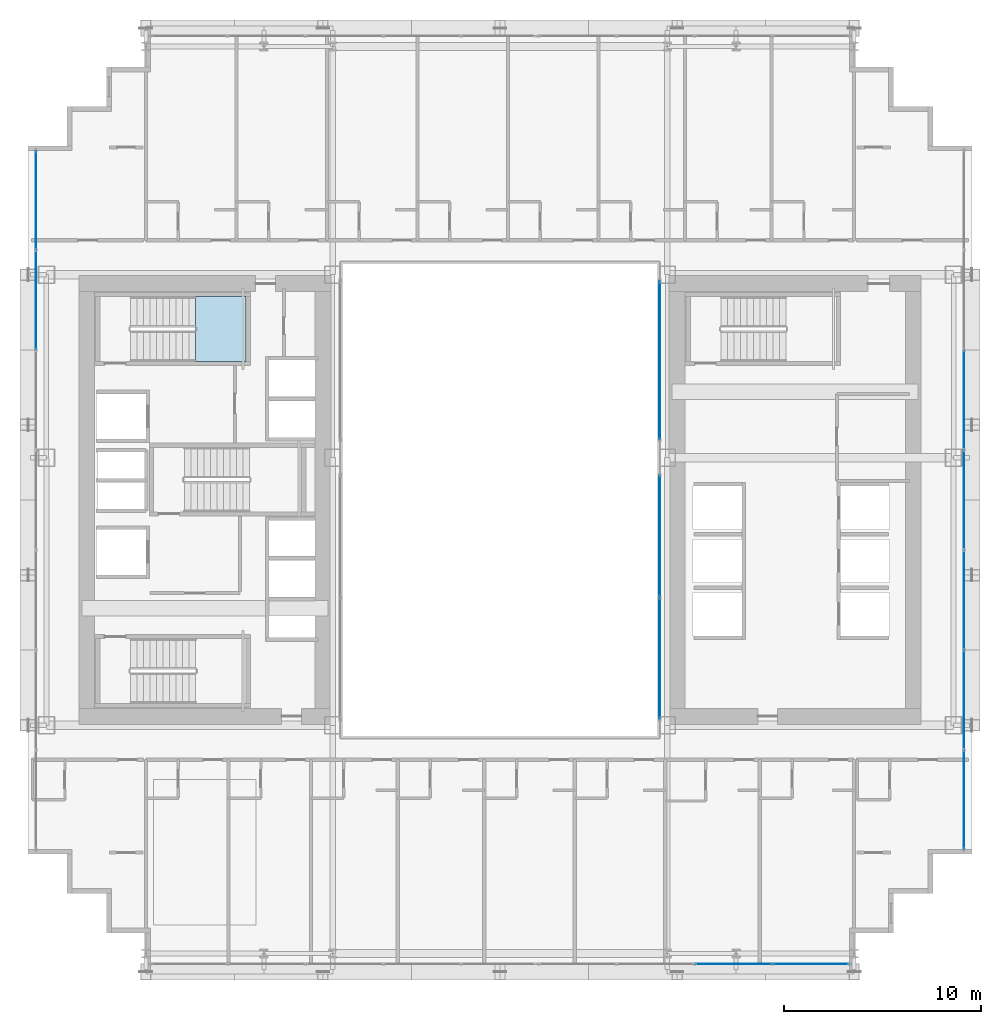
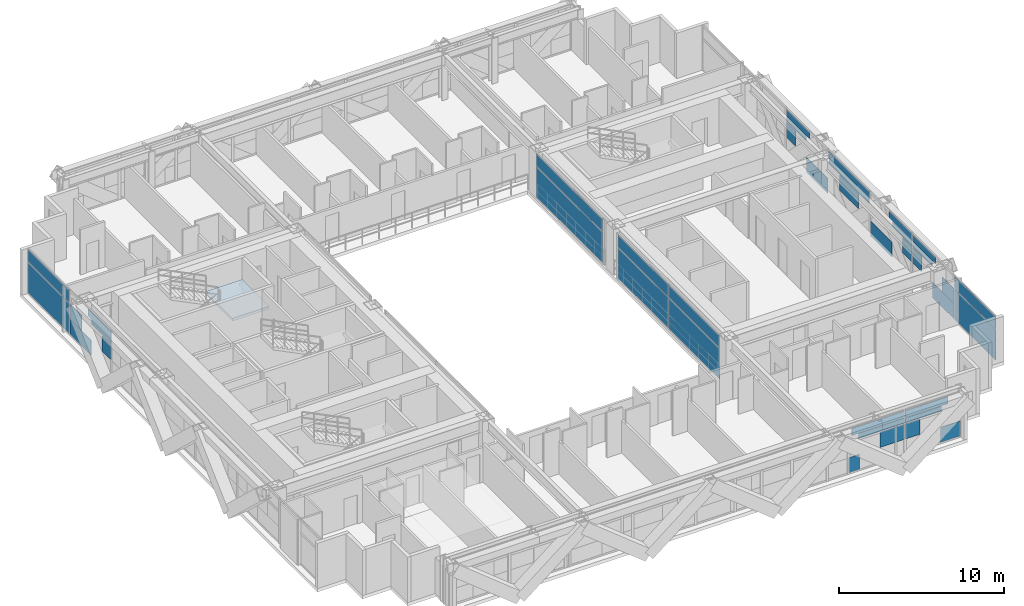
# One storey, part 29 of 41: 39 plates, 1 slab, 6 elements without a shape of their own.
"""IFC4 building model written with IfcOpenShell, lengths in metres."""

import ifcopenshell
import ifcopenshell.guid

model = None  # the IFC model being written
_history = None  # IfcOwnerHistory: only IFC2X3 demands one
_inside = {}  # id of a spatial element -> (the spatial element, [elements in it])
_under = {}  # id of a project, library or spatial element -> (it, [spatial elements below it])
_declared = {}  # id of a project -> (the project, [libraries it declares])
_typed = {}  # id of a type object -> (the type object, [elements of that type])
_made_of = {}  # id of a material, layer set ... -> (it, [elements and type objects made of it])


def new_model(schema):
    """Start an empty IFC model of exactly this schema.

    Asked for "IFC4X3", IfcOpenShell would pick the latest addendum, in which some entities
    have other attributes; the version numbers below select the first issue.
    IFC2X3 requires an IfcOwnerHistory on every rooted entity: one is made here for all.
    """
    global model, _history
    if schema == "IFC4X3":
        model = ifcopenshell.file(schema_version=(4, 3, 0, 0))
    else:
        model = ifcopenshell.file(schema=schema)
    _inside.clear()
    _under.clear()
    _declared.clear()
    _typed.clear()
    _made_of.clear()
    _history = None
    if model.schema == "IFC2X3":
        org = make("IfcOrganization", Name="unknown")
        user = make(
            "IfcPersonAndOrganization",
            ThePerson=make("IfcPerson", FamilyName="unknown"),
            TheOrganization=org,
        )
        app = make(
            "IfcApplication",
            ApplicationDeveloper=org,
            Version="unknown",
            ApplicationFullName="unknown",
            ApplicationIdentifier="unknown",
        )
        _history = make(
            "IfcOwnerHistory",
            OwningUser=user,
            OwningApplication=app,
            ChangeAction="ADDED",
            CreationDate=0,
        )
    return model


def make(cls, **values):
    """One entity of the class cls with the attributes given. An attribute that is None is left unset."""
    return model.create_entity(
        cls, **{name: value for name, value in values.items() if value is not None}
    )


def rooted(cls, **values):
    """An entity with a GlobalId (a new one), such as an element, a storey or a relation."""
    return make(cls, GlobalId=ifcopenshell.guid.new(), OwnerHistory=_history, **values)


def si_unit(unit_type, name, prefix=None):
    """IfcSIUnit, for example si_unit("LENGTHUNIT", "METRE", prefix="MILLI")."""
    return make("IfcSIUnit", UnitType=unit_type, Prefix=prefix, Name=name)


def assignment(units):
    """IfcUnitAssignment: the units of a project."""
    return None if units is None else make("IfcUnitAssignment", Units=units)


def point(xyz):
    """IfcCartesianPoint."""
    return None if xyz is None else make("IfcCartesianPoint", Coordinates=xyz)


def direction(xyz):
    """IfcDirection."""
    return None if xyz is None else make("IfcDirection", DirectionRatios=xyz)


def frame(location, z_axis=None, x_axis=None):
    """IfcAxis2Placement3D, a coordinate frame: its origin and axes. An axis left out is left unset."""
    return make(
        "IfcAxis2Placement3D",
        Location=point(location),
        Axis=direction(z_axis),
        RefDirection=direction(x_axis),
    )


def frame_2d(location, x_axis=None):
    """IfcAxis2Placement2D, a coordinate frame in the plane: its origin and x axis."""
    return make(
        "IfcAxis2Placement2D", Location=point(location), RefDirection=direction(x_axis)
    )


def origin():
    """The frame at (0, 0, 0) with its axes left unset."""
    return frame((0.0, 0.0, 0.0))


def origin_2d():
    """The frame at (0, 0) in the plane with its x axis left unset."""
    return frame_2d((0.0, 0.0))


def place(relative_to, where):
    """IfcLocalPlacement: puts the frame where relative to a parent placement (None: the world)."""
    return make(
        "IfcLocalPlacement", PlacementRelTo=relative_to, RelativePlacement=where
    )


def context(
    kind, dimensions, precision=None, world=None, true_north=None, identifier=None
):
    """IfcGeometricRepresentationContext, for example the 3D "Model" context."""
    return make(
        "IfcGeometricRepresentationContext",
        ContextIdentifier=identifier,
        ContextType=kind,
        CoordinateSpaceDimension=dimensions,
        Precision=precision,
        WorldCoordinateSystem=world,
        TrueNorth=true_north,
    )


def subcontext(parent, identifier, kind, view, scale=None):
    """IfcGeometricRepresentationSubContext, for example "Body" below "Model"."""
    return make(
        "IfcGeometricRepresentationSubContext",
        ContextIdentifier=identifier,
        ContextType=kind,
        ParentContext=parent,
        TargetScale=scale,
        TargetView=view,
    )


def project(units=None, contexts=None):
    """IfcProject with its units and contexts."""
    return rooted(
        "IfcProject",
        Name="project",
        RepresentationContexts=contexts,
        UnitsInContext=assignment(units),
    )


def spatial(cls, under=None, at=None, **own):
    """A site, building, storey or space (cls), placed at a placement, below another one or the project."""
    s = rooted(cls, ObjectPlacement=at, **own)
    if under is not None:
        _under.setdefault(under.id(), (under, []))[1].append(s)
    return s


def polyline(points):
    """IfcPolyline through the points."""
    return make("IfcPolyline", Points=[point(p) for p in points])


def profile(cls, at=None, kind="AREA", **sizes):
    """A parametric profile (cls). Its sizes go by their IFC names, for example OverallWidth=200.0."""
    return make(cls, ProfileType=kind, Position=at, **sizes)


def rectangle(**sizes):
    """IfcRectangleProfileDef."""
    return profile("IfcRectangleProfileDef", **sizes)


def outline(outer, holes=None, kind="AREA"):
    """IfcArbitraryClosedProfileDef: a profile drawn as a closed curve; with holes, ...WithVoids."""
    if holes is None:
        return make("IfcArbitraryClosedProfileDef", ProfileType=kind, OuterCurve=outer)
    return make(
        "IfcArbitraryProfileDefWithVoids",
        ProfileType=kind,
        OuterCurve=outer,
        InnerCurves=holes,
    )


def extrude(swept, where, along, depth):
    """IfcExtrudedAreaSolid: the profile swept, set in the frame where, extruded along a direction by depth."""
    return make(
        "IfcExtrudedAreaSolid",
        SweptArea=swept,
        Position=where,
        ExtrudedDirection=direction(along),
        Depth=depth,
    )


def shape(context_of_items, identifier, shape_type, items):
    """IfcShapeRepresentation: the items that make up one representation, for example the "Body"."""
    return make(
        "IfcShapeRepresentation",
        ContextOfItems=context_of_items,
        RepresentationIdentifier=identifier,
        RepresentationType=shape_type,
        Items=items,
    )


def source(mapping_origin, context_of_items, identifier, shape_type, items):
    """IfcRepresentationMap: a shape defined once, which mapped items show again and again."""
    return make(
        "IfcRepresentationMap",
        MappingOrigin=mapping_origin,
        MappedRepresentation=shape(context_of_items, identifier, shape_type, items),
    )


def transform(
    local_origin,
    x_axis=None,
    y_axis=None,
    z_axis=None,
    scale=None,
    scale2=None,
    scale3=None,
    uniform=True,
):
    """IfcCartesianTransformationOperator3D, or its non-uniform kind. x_axis, y_axis, z_axis: its Axis1, 2, 3."""
    if uniform:
        return make(
            "IfcCartesianTransformationOperator3D",
            Axis1=direction(x_axis),
            Axis2=direction(y_axis),
            LocalOrigin=point(local_origin),
            Scale=scale,
            Axis3=direction(z_axis),
        )
    return make(
        "IfcCartesianTransformationOperator3DnonUniform",
        Axis1=direction(x_axis),
        Axis2=direction(y_axis),
        LocalOrigin=point(local_origin),
        Scale=scale,
        Axis3=direction(z_axis),
        Scale2=scale2,
        Scale3=scale3,
    )


def mapped(mapping_source, mapping_target):
    """IfcMappedItem: shows the shape of a source again, moved by a transform."""
    return make(
        "IfcMappedItem", MappingSource=mapping_source, MappingTarget=mapping_target
    )


def material(Name=None, Category=None):
    """IfcMaterial."""
    return make("IfcMaterial", Name=Name, Category=Category)


def layer(
    of_material, thickness, ventilated=None, Name=None, Category=None, Priority=None
):
    """IfcMaterialLayer: one layer of a wall or slab, of a material (None: an air gap)."""
    return make(
        "IfcMaterialLayer",
        Material=of_material,
        LayerThickness=thickness,
        IsVentilated=ventilated,
        Name=Name,
        Category=Category,
        Priority=Priority,
    )


def layer_set(layers, Name=None):
    """IfcMaterialLayerSet."""
    return make("IfcMaterialLayerSet", MaterialLayers=layers, LayerSetName=Name)


def made_of(thing, what):
    """Note that an element or type object is made of a material, layer set ...; save() writes the relation."""
    if what is not None:
        _made_of.setdefault(what.id(), (what, []))[1].append(thing)
    return thing


def type_object(cls, material=None, **own):
    """A type object (cls), such as IfcWallType, which elements share."""
    return made_of(rooted(cls, **own), material)


def element(
    cls,
    number,
    at=None,
    inside=None,
    cuts=None,
    type_object=None,
    material=None,
    context=None,
    identifier="Body",
    shape_type=None,
    held_by="IfcProductDefinitionShape",
    body=None,
    shapes=None,
    **own,
):
    """One element of the class cls, such as IfcWall. Its Tag is "e" and its number.

    at: its placement. inside: the storey or other place that contains it. cuts: it is an
    opening in that element (IfcRelVoidsElement). A single representation is given by context,
    identifier, shape_type and body (its items); several are given by shapes. held_by: the class
    of the entity that holds the representations. save() writes the other relations.
    """
    e = rooted(cls, Tag="e%d" % number, ObjectPlacement=at, **own)
    if body is not None:
        shapes = [shape(context, identifier, shape_type, body)]
    if shapes is not None:
        e.Representation = make(held_by, Representations=shapes)
    if inside is not None:
        _inside.setdefault(inside.id(), (inside, []))[1].append(e)
    if cuts is not None:
        rooted(
            "IfcRelVoidsElement", RelatingBuildingElement=cuts, RelatedOpeningElement=e
        )
    if type_object is not None:
        _typed.setdefault(type_object.id(), (type_object, []))[1].append(e)
    return made_of(e, material)


def aggregate(whole, parts):
    """IfcRelAggregates: a whole, such as a stair, and the parts it consists of."""
    return rooted("IfcRelAggregates", RelatingObject=whole, RelatedObjects=parts)


def save(model, path):
    """Write the relations noted so far, then the file.

    IfcRelAggregates (storeys below a building ...), IfcRelContainedInSpatialStructure (elements
    in a storey), IfcRelDefinesByType, IfcRelAssociatesMaterial and IfcRelDeclares: one each for
    every whole, place, type object, material and project.
    """
    for whole, parts in _under.values():
        aggregate(whole, parts)
    for where, things in _inside.values():
        rooted(
            "IfcRelContainedInSpatialStructure",
            RelatedElements=things,
            RelatingStructure=where,
        )
    for kind, things in _typed.values():
        rooted("IfcRelDefinesByType", RelatedObjects=things, RelatingType=kind)
    for what, things in _made_of.values():
        rooted("IfcRelAssociatesMaterial", RelatedObjects=things, RelatingMaterial=what)
    for by, libraries in _declared.values():
        rooted("IfcRelDeclares", RelatingContext=by, RelatedDefinitions=libraries)
    model.write(path)


model = new_model("IFC4")

# Units and contexts
model_context = context("Model", 3, precision=1e-05, world=origin(), true_north=direction((0.0, 1.0)))
body_context = subcontext(model_context, "Body", "Model", "MODEL_VIEW")
ifc_project = project(units=[si_unit("LENGTHUNIT", "METRE"), si_unit("AREAUNIT", "SQUARE_METRE"), si_unit("VOLUMEUNIT", "CUBIC_METRE"), si_unit("PLANEANGLEUNIT", "RADIAN"), si_unit("MASSUNIT", "GRAM", prefix="KILO")], contexts=[model_context])

# Site, building, storey
site_placement = place(None, origin())
site = spatial("IfcSite", under=ifc_project, at=site_placement, CompositionType="ELEMENT")
building_placement = place(site_placement, origin())
building = spatial("IfcBuilding", under=site, at=building_placement, Name="Ocotamira Hotel", CompositionType="ELEMENT")
storey_placement = place(building_placement, frame((0.0, 0.0, 38.39990234375)))
storey = spatial("IfcBuildingStorey", under=building, at=storey_placement, Name="L08", CompositionType="ELEMENT", Elevation=38.39990234375)

# Stair, slab
ifc_material_1 = material(Name="Concrete C40/50", Category="concrete")
stair_type = type_object("IfcStairType", Name="ST-CORE-1560", PredefinedType="HALF_TURN_STAIR", material=ifc_material_1)
stair_placement = place(storey_placement, origin())
stair = element("IfcStair", 1, at=stair_placement, inside=storey, type_object=stair_type, Name="L08 Exit Stair ST-2", PredefinedType="HALF_TURN_STAIR")
ifc_layer_1 = layer(ifc_material_1, 0.199951171875)
ifc_layer_set_1 = layer_set([ifc_layer_1], Name="Concrete C40/50")
slab_type = type_object("IfcSlabType", Name="SLB-LAND-200", PredefinedType="LANDING", material=ifc_layer_set_1)
slab_placement = place(storey_placement, frame((0.0, 0.0, 1.60009765625)))
slab = element("IfcSlab", 2, at=slab_placement, type_object=slab_type, Name="ST-2 landing 1", PredefinedType="LANDING", context=body_context, shape_type="SweptSolid", body=[
    extrude(outline(polyline([(16.530029296875, 33.050048828125), (19.090087890625, 33.050048828125), (19.090087890625, 36.330078125), (16.530029296875, 36.330078125), (16.530029296875, 33.050048828125)])), origin(), (0.0, 0.0, 1.0), 0.199951171875),
])
aggregate(stair, [slab])

# Curtain wall, plate
ifc_material_2 = material(Name="Anodised pale-metal aluminium and solar glass", Category="aluminium")
ifc_layer_2 = layer(ifc_material_2, 0.179931640625)
ifc_layer_set_2 = layer_set([ifc_layer_2], Name="Anodised pale-metal aluminium and solar glass")
curtain_wall_type_1 = type_object("IfcCurtainWallType", Name="CW-SYS2-Z1", PredefinedType="NOTDEFINED", material=ifc_layer_set_2)
curtain_wall_1_placement = place(storey_placement, origin())
curtain_wall_1 = element("IfcCurtainWall", 3, at=curtain_wall_1_placement, inside=storey, type_object=curtain_wall_type_1, Name="L08 Curtain Wall CW-2 CW-L08-W", PredefinedType="NOTDEFINED")
ifc_material_3 = material(Name="Double-silver low-E insulated solar glass", Category="glass")
ifc_layer_3 = layer(ifc_material_3, 0.031982421875)
ifc_layer_set_3 = layer_set([ifc_layer_3], Name="Double-silver low-E insulated solar glass")
plate_type = type_object("IfcPlateType", Name="CWP-VISION-32", PredefinedType="CURTAIN_PANEL", material=ifc_layer_set_3)
shared_shape_1 = source(origin(), body_context, "Body", "SweptSolid", [
    extrude(rectangle(XDim=4.9658203125, YDim=0.031982421875, at=origin_2d()), origin(), (0.0, 0.0, 1.0), 2.237548828125),
])
plate_1_placement = place(storey_placement, frame((8.419921875, 41.237060546875, 0.0751953125), z_axis=(0.0, 0.0, 1.0), x_axis=(0.0, 1.0, 0.0)))
plate_1 = element("IfcPlate", 4, at=plate_1_placement, type_object=plate_type, Name="CW-2 panel 7.1", PredefinedType="CURTAIN_PANEL", context=body_context, shape_type="MappedRepresentation", body=[
    mapped(shared_shape_1, transform((0.0, 0.0, 0.0), scale=1.0)),
])

curtain_wall_2_placement = place(storey_placement, origin())
curtain_wall_2 = element("IfcCurtainWall", 5, at=curtain_wall_2_placement, inside=storey, type_object=curtain_wall_type_1, Name="L08 Curtain Wall CW-2 CW-L08-E", PredefinedType="NOTDEFINED")
plate_2_placement = place(storey_placement, frame((55.580078125, 10.762939453125, 0.0751953125), z_axis=(0.0, 0.0, 1.0), x_axis=(0.0, 1.0, 0.0)))
plate_2 = element("IfcPlate", 6, at=plate_2_placement, type_object=plate_type, Name="CW-2 panel 1.1", PredefinedType="CURTAIN_PANEL", context=body_context, shape_type="MappedRepresentation", body=[
    mapped(shared_shape_1, transform((0.0, 0.0, 0.0), scale=1.0)),
])

# Plate
shared_shape_2 = source(origin(), body_context, "Body", "SweptSolid", [
    extrude(rectangle(XDim=4.9658203125, YDim=0.031982421875, at=origin_2d()), origin(), (0.0, 0.0, 1.0), 0.887451171875),
])
plate_3_placement = place(storey_placement, frame((8.419921875, 41.237060546875, 2.3876953125), z_axis=(0.0, 0.0, 1.0), x_axis=(0.0, 1.0, 0.0)))
plate_3 = element("IfcPlate", 7, at=plate_3_placement, type_object=plate_type, Name="CW-2 panel 7.2", PredefinedType="CURTAIN_PANEL", context=body_context, shape_type="MappedRepresentation", body=[
    mapped(shared_shape_2, transform((0.0, 0.0, 0.0), scale=1.0)),
])

plate_4_placement = place(storey_placement, frame((55.580078125, 10.762939453125, 2.3876953125), z_axis=(0.0, 0.0, 1.0), x_axis=(0.0, 1.0, 0.0)))
plate_4 = element("IfcPlate", 8, at=plate_4_placement, type_object=plate_type, Name="CW-2 panel 1.2", PredefinedType="CURTAIN_PANEL", context=body_context, shape_type="MappedRepresentation", body=[
    mapped(shared_shape_2, transform((0.0, 0.0, 0.0), scale=1.0)),
])

shared_shape_3 = source(origin(), body_context, "Body", "SweptSolid", [
    extrude(rectangle(XDim=2.27978515625, YDim=0.031982421875, at=origin_2d()), origin(), (0.0, 0.0, 1.0), 1.11865234375),
])
plate_5_placement = place(storey_placement, frame((55.580078125, 26.0, 1.19384765625), z_axis=(0.0, 0.0, 1.0), x_axis=(0.0, 1.0, 0.0)))
plate_5 = element("IfcPlate", 9, at=plate_5_placement, type_object=plate_type, Name="CW-2 panel 4.1.1", PredefinedType="CURTAIN_PANEL", context=body_context, shape_type="MappedRepresentation", body=[
    mapped(shared_shape_3, transform((0.0, 0.0, 0.0), scale=1.0)),
])

# Curtain wall, plates
curtain_wall_3_placement = place(storey_placement, origin())
curtain_wall_3 = element("IfcCurtainWall", 10, at=curtain_wall_3_placement, inside=storey, type_object=curtain_wall_type_1, Name="L08 Curtain Wall CW-2 CW-L08-S1", PredefinedType="NOTDEFINED")
shared_shape_4 = source(origin(), body_context, "Body", "SweptSolid", [
    extrude(rectangle(XDim=1.382568359375, YDim=0.031982421875, at=origin_2d()), origin(), (0.0, 0.0, 1.0), 1.11865234375),
])
plate_6_placement = place(storey_placement, frame((49.02880859375, 2.419921875, 0.0751953125), z_axis=(0.0, 0.0, 1.0), x_axis=(1.0, 0.0, 0.0)))
plate_6 = element("IfcPlate", 11, at=plate_6_placement, type_object=plate_type, Name="CW-2 panel 9.1.2", PredefinedType="CURTAIN_PANEL", context=body_context, shape_type="MappedRepresentation", body=[
    mapped(shared_shape_4, transform((0.0, 0.0, 0.0), scale=1.0)),
])
shared_shape_5 = source(origin(), body_context, "Body", "SweptSolid", [
    extrude(rectangle(XDim=1.012451171875, YDim=0.031982421875, at=origin_2d()), origin(), (0.0, 0.0, 1.0), 1.11865234375),
])
plate_7_placement = place(storey_placement, frame((46.390625, 2.419921875, 1.19384765625), z_axis=(0.0, 0.0, 1.0), x_axis=(1.0, 0.0, 0.0)))
plate_7 = element("IfcPlate", 12, at=plate_7_placement, type_object=plate_type, Name="CW-2 panel 9.1.1", PredefinedType="CURTAIN_PANEL", context=body_context, shape_type="MappedRepresentation", body=[
    mapped(shared_shape_5, transform((0.0, 0.0, 0.0), scale=1.0)),
])
shared_shape_6 = source(origin(), body_context, "Body", "SweptSolid", [
    extrude(rectangle(XDim=2.9755859375, YDim=0.031982421875, at=origin_2d()), origin(), (0.0, 0.0, 1.0), 0.5107421875),
])
plate_8_placement = place(storey_placement, frame((47.372314453125, 2.419921875, 2.764404296875), z_axis=(0.0, 0.0, 1.0), x_axis=(1.0, 0.0, 0.0)))
plate_8 = element("IfcPlate", 13, at=plate_8_placement, type_object=plate_type, Name="CW-2 panel 9.2.2", PredefinedType="CURTAIN_PANEL", context=body_context, shape_type="MappedRepresentation", body=[
    mapped(shared_shape_6, transform((0.0, 0.0, 0.0), scale=1.0)),
])
shared_shape_7 = source(origin(), body_context, "Body", "SweptSolid", [
    extrude(rectangle(XDim=2.504638671875, YDim=0.031982421875, at=origin_2d()), origin(), (0.0, 0.0, 1.0), 0.345458984375),
])
plate_9_placement = place(storey_placement, frame((47.13671875, 2.419921875, 2.3876953125), z_axis=(0.0, 0.0, 1.0), x_axis=(1.0, 0.0, 0.0)))
plate_9 = element("IfcPlate", 14, at=plate_9_placement, type_object=plate_type, Name="CW-2 panel 9.2.1", PredefinedType="CURTAIN_PANEL", context=body_context, shape_type="MappedRepresentation", body=[
    mapped(shared_shape_7, transform((0.0, 0.0, 0.0), scale=1.0)),
])
shared_shape_8 = source(origin(), body_context, "Body", "SweptSolid", [
    extrude(rectangle(XDim=1.701416015625, YDim=0.031982421875, at=origin_2d()), origin(), (0.0, 0.0, 1.0), 1.11865234375),
])
plate_10_placement = place(storey_placement, frame((44.953857421875, 2.419921875, 1.19384765625), z_axis=(0.0, 0.0, 1.0), x_axis=(1.0, 0.0, 0.0)))
plate_10 = element("IfcPlate", 15, at=plate_10_placement, type_object=plate_type, Name="CW-2 panel 8.1.2", PredefinedType="CURTAIN_PANEL", context=body_context, shape_type="MappedRepresentation", body=[
    mapped(shared_shape_8, transform((0.0, 0.0, 0.0), scale=1.0)),
])
shared_shape_9 = source(origin(), body_context, "Body", "SweptSolid", [
    extrude(rectangle(XDim=0.733642578125, YDim=0.031982421875, at=origin_2d()), origin(), (0.0, 0.0, 1.0), 1.11865234375),
])
plate_11_placement = place(storey_placement, frame((42.295654296875, 2.419921875, 0.0751953125), z_axis=(0.0, 0.0, 1.0), x_axis=(1.0, 0.0, 0.0)))
plate_11 = element("IfcPlate", 16, at=plate_11_placement, type_object=plate_type, Name="CW-2 panel 8.1.1", PredefinedType="CURTAIN_PANEL", context=body_context, shape_type="MappedRepresentation", body=[
    mapped(shared_shape_9, transform((0.0, 0.0, 0.0), scale=1.0)),
])
shared_shape_10 = source(origin(), body_context, "Body", "SweptSolid", [
    extrude(rectangle(XDim=3.193603515625, YDim=0.031982421875, at=origin_2d()), origin(), (0.0, 0.0, 1.0), 0.376708984375),
])
plate_12_placement = place(storey_placement, frame((44.207763671875, 2.419921875, 2.3876953125), z_axis=(0.0, 0.0, 1.0), x_axis=(1.0, 0.0, 0.0)))
plate_12 = element("IfcPlate", 17, at=plate_12_placement, type_object=plate_type, Name="CW-2 panel 8.2.2", PredefinedType="CURTAIN_PANEL", context=body_context, shape_type="MappedRepresentation", body=[
    mapped(shared_shape_10, transform((0.0, 0.0, 0.0), scale=1.0)),
])
shared_shape_11 = source(origin(), body_context, "Body", "SweptSolid", [
    extrude(rectangle(XDim=3.664306640625, YDim=0.031982421875, at=origin_2d()), origin(), (0.0, 0.0, 1.0), 0.5107421875),
])
plate_13_placement = place(storey_placement, frame((43.972412109375, 2.419921875, 2.764404296875), z_axis=(0.0, 0.0, 1.0), x_axis=(1.0, 0.0, 0.0)))
plate_13 = element("IfcPlate", 18, at=plate_13_placement, type_object=plate_type, Name="CW-2 panel 8.2.1", PredefinedType="CURTAIN_PANEL", context=body_context, shape_type="MappedRepresentation", body=[
    mapped(shared_shape_11, transform((0.0, 0.0, 0.0), scale=1.0)),
])
aggregate(curtain_wall_3, [plate_11, plate_10, plate_13, plate_12, plate_7, plate_6, plate_9, plate_8])

# Plate
shared_shape_12 = source(origin(), body_context, "Body", "SweptSolid", [
    extrude(rectangle(XDim=2.58935546875, YDim=0.031982421875, at=origin_2d()), origin(), (0.0, 0.0, 1.0), 1.11865234375),
])
plate_14_placement = place(storey_placement, frame((8.419921875, 37.379638671875, 0.0751953125), z_axis=(0.0, 0.0, 1.0), x_axis=(0.0, 1.0, 0.0)))
plate_14 = element("IfcPlate", 19, at=plate_14_placement, type_object=plate_type, Name="CW-2 panel 6.1.2", PredefinedType="CURTAIN_PANEL", context=body_context, shape_type="MappedRepresentation", body=[
    mapped(shared_shape_12, transform((0.0, 0.0, 0.0), scale=1.0)),
])

plate_15_placement = place(storey_placement, frame((55.580078125, 14.620361328125, 0.0751953125), z_axis=(0.0, 0.0, 1.0), x_axis=(0.0, 1.0, 0.0)))
plate_15 = element("IfcPlate", 20, at=plate_15_placement, type_object=plate_type, Name="CW-2 panel 2.1.1", PredefinedType="CURTAIN_PANEL", context=body_context, shape_type="MappedRepresentation", body=[
    mapped(shared_shape_12, transform((0.0, 0.0, 0.0), scale=1.0)),
])

shared_shape_13 = source(origin(), body_context, "Body", "SweptSolid", [
    extrude(rectangle(XDim=1.4033203125, YDim=0.031982421875, at=origin_2d()), origin(), (0.0, 0.0, 1.0), 1.11865234375),
])
plate_16_placement = place(storey_placement, frame((8.419921875, 37.97265625, 1.19384765625), z_axis=(0.0, 0.0, 1.0), x_axis=(0.0, 1.0, 0.0)))
plate_16 = element("IfcPlate", 21, at=plate_16_placement, type_object=plate_type, Name="CW-2 panel 6.1.3", PredefinedType="CURTAIN_PANEL", context=body_context, shape_type="MappedRepresentation", body=[
    mapped(shared_shape_13, transform((0.0, 0.0, 0.0), scale=1.0)),
])

plate_17_placement = place(storey_placement, frame((55.580078125, 14.02734375, 1.19384765625), z_axis=(0.0, 0.0, 1.0), x_axis=(0.0, 1.0, 0.0)))
plate_17 = element("IfcPlate", 22, at=plate_17_placement, type_object=plate_type, Name="CW-2 panel 2.1.2", PredefinedType="CURTAIN_PANEL", context=body_context, shape_type="MappedRepresentation", body=[
    mapped(shared_shape_13, transform((0.0, 0.0, 0.0), scale=1.0)),
])

shared_shape_14 = source(origin(), body_context, "Body", "SweptSolid", [
    extrude(rectangle(XDim=1.104736328125, YDim=0.031982421875, at=origin_2d()), origin(), (0.0, 0.0, 1.0), 1.11865234375),
])
plate_18_placement = place(storey_placement, frame((8.419921875, 34.220947265625, 1.19384765625), z_axis=(0.0, 0.0, 1.0), x_axis=(0.0, 1.0, 0.0)))
plate_18 = element("IfcPlate", 23, at=plate_18_placement, type_object=plate_type, Name="CW-2 panel 6.1.1", PredefinedType="CURTAIN_PANEL", context=body_context, shape_type="MappedRepresentation", body=[
    mapped(shared_shape_14, transform((0.0, 0.0, 0.0), scale=1.0)),
])

plate_19_placement = place(storey_placement, frame((55.580078125, 17.779052734375, 1.19384765625), z_axis=(0.0, 0.0, 1.0), x_axis=(0.0, 1.0, 0.0)))
plate_19 = element("IfcPlate", 24, at=plate_19_placement, type_object=plate_type, Name="CW-2 panel 2.1.3", PredefinedType="CURTAIN_PANEL", context=body_context, shape_type="MappedRepresentation", body=[
    mapped(shared_shape_14, transform((0.0, 0.0, 0.0), scale=1.0)),
])

shared_shape_15 = source(origin(), body_context, "Body", "SweptSolid", [
    extrude(rectangle(XDim=2.796630859375, YDim=0.031982421875, at=origin_2d()), origin(), (0.0, 0.0, 1.0), 0.485107421875),
])
plate_20_placement = place(storey_placement, frame((8.419921875, 35.06689453125, 2.7900390625), z_axis=(0.0, 0.0, 1.0), x_axis=(0.0, 1.0, 0.0)))
plate_20 = element("IfcPlate", 25, at=plate_20_placement, type_object=plate_type, Name="CW-2 panel 6.2.2", PredefinedType="CURTAIN_PANEL", context=body_context, shape_type="MappedRepresentation", body=[
    mapped(shared_shape_15, transform((0.0, 0.0, 0.0), scale=1.0)),
])

plate_21_placement = place(storey_placement, frame((55.580078125, 16.93310546875, 2.7900390625), z_axis=(0.0, 0.0, 1.0), x_axis=(0.0, 1.0, 0.0)))
plate_21 = element("IfcPlate", 26, at=plate_21_placement, type_object=plate_type, Name="CW-2 panel 2.2.1", PredefinedType="CURTAIN_PANEL", context=body_context, shape_type="MappedRepresentation", body=[
    mapped(shared_shape_15, transform((0.0, 0.0, 0.0), scale=1.0)),
])

shared_shape_16 = source(origin(), body_context, "Body", "SweptSolid", [
    extrude(rectangle(XDim=2.3701171875, YDim=0.031982421875, at=origin_2d()), origin(), (0.0, 0.0, 1.0), 0.367919921875),
])
plate_22_placement = place(storey_placement, frame((8.419921875, 34.853759765625, 2.3876953125), z_axis=(0.0, 0.0, 1.0), x_axis=(0.0, 1.0, 0.0)))
plate_22 = element("IfcPlate", 27, at=plate_22_placement, type_object=plate_type, Name="CW-2 panel 6.2.1", PredefinedType="CURTAIN_PANEL", context=body_context, shape_type="MappedRepresentation", body=[
    mapped(shared_shape_16, transform((0.0, 0.0, 0.0), scale=1.0)),
])

aggregate(curtain_wall_1, [plate_18, plate_14, plate_16, plate_22, plate_20, plate_1, plate_3])

plate_23_placement = place(storey_placement, frame((55.580078125, 17.146240234375, 2.3876953125), z_axis=(0.0, 0.0, 1.0), x_axis=(0.0, 1.0, 0.0)))
plate_23 = element("IfcPlate", 28, at=plate_23_placement, type_object=plate_type, Name="CW-2 panel 2.2.2", PredefinedType="CURTAIN_PANEL", context=body_context, shape_type="MappedRepresentation", body=[
    mapped(shared_shape_16, transform((0.0, 0.0, 0.0), scale=1.0)),
])

shared_shape_17 = source(origin(), body_context, "Body", "SweptSolid", [
    extrude(rectangle(XDim=1.094970703125, YDim=0.031982421875, at=origin_2d()), origin(), (0.0, 0.0, 1.0), 1.11865234375),
])
plate_24_placement = place(storey_placement, frame((55.580078125, 18.958984375, 1.19384765625), z_axis=(0.0, 0.0, 1.0), x_axis=(0.0, 1.0, 0.0)))
plate_24 = element("IfcPlate", 29, at=plate_24_placement, type_object=plate_type, Name="CW-2 panel 3.1.1", PredefinedType="CURTAIN_PANEL", context=body_context, shape_type="MappedRepresentation", body=[
    mapped(shared_shape_17, transform((0.0, 0.0, 0.0), scale=1.0)),
])

plate_25_placement = place(storey_placement, frame((55.580078125, 33.041015625, 1.19384765625), z_axis=(0.0, 0.0, 1.0), x_axis=(0.0, 1.0, 0.0)))
plate_25 = element("IfcPlate", 30, at=plate_25_placement, type_object=plate_type, Name="CW-2 panel 5.1.2", PredefinedType="CURTAIN_PANEL", context=body_context, shape_type="MappedRepresentation", body=[
    mapped(shared_shape_17, transform((0.0, 0.0, 0.0), scale=1.0)),
])

shared_shape_18 = source(origin(), body_context, "Body", "SweptSolid", [
    extrude(rectangle(XDim=2.59912109375, YDim=0.031982421875, at=origin_2d()), origin(), (0.0, 0.0, 1.0), 1.11865234375),
])
plate_26_placement = place(storey_placement, frame((55.580078125, 22.11767578125, 0.0751953125), z_axis=(0.0, 0.0, 1.0), x_axis=(0.0, 1.0, 0.0)))
plate_26 = element("IfcPlate", 31, at=plate_26_placement, type_object=plate_type, Name="CW-2 panel 3.1.2", PredefinedType="CURTAIN_PANEL", context=body_context, shape_type="MappedRepresentation", body=[
    mapped(shared_shape_18, transform((0.0, 0.0, 0.0), scale=1.0)),
])

plate_27_placement = place(storey_placement, frame((55.580078125, 29.88232421875, 0.0751953125), z_axis=(0.0, 0.0, 1.0), x_axis=(0.0, 1.0, 0.0)))
plate_27 = element("IfcPlate", 32, at=plate_27_placement, type_object=plate_type, Name="CW-2 panel 5.1.1", PredefinedType="CURTAIN_PANEL", context=body_context, shape_type="MappedRepresentation", body=[
    mapped(shared_shape_18, transform((0.0, 0.0, 0.0), scale=1.0)),
])

shared_shape_19 = source(origin(), body_context, "Body", "SweptSolid", [
    extrude(rectangle(XDim=2.360595703125, YDim=0.031982421875, at=origin_2d()), origin(), (0.0, 0.0, 1.0), 0.367919921875),
])
plate_28_placement = place(storey_placement, frame((55.580078125, 19.591796875, 2.3876953125), z_axis=(0.0, 0.0, 1.0), x_axis=(0.0, 1.0, 0.0)))
plate_28 = element("IfcPlate", 33, at=plate_28_placement, type_object=plate_type, Name="CW-2 panel 3.2.1", PredefinedType="CURTAIN_PANEL", context=body_context, shape_type="MappedRepresentation", body=[
    mapped(shared_shape_19, transform((0.0, 0.0, 0.0), scale=1.0)),
])

plate_29_placement = place(storey_placement, frame((55.580078125, 32.408203125, 2.3876953125), z_axis=(0.0, 0.0, 1.0), x_axis=(0.0, 1.0, 0.0)))
plate_29 = element("IfcPlate", 34, at=plate_29_placement, type_object=plate_type, Name="CW-2 panel 5.2.2", PredefinedType="CURTAIN_PANEL", context=body_context, shape_type="MappedRepresentation", body=[
    mapped(shared_shape_19, transform((0.0, 0.0, 0.0), scale=1.0)),
])

shared_shape_20 = source(origin(), body_context, "Body", "SweptSolid", [
    extrude(rectangle(XDim=2.787109375, YDim=0.031982421875, at=origin_2d()), origin(), (0.0, 0.0, 1.0), 0.485107421875),
])
plate_30_placement = place(storey_placement, frame((55.580078125, 19.804931640625, 2.7900390625), z_axis=(0.0, 0.0, 1.0), x_axis=(0.0, 1.0, 0.0)))
plate_30 = element("IfcPlate", 35, at=plate_30_placement, type_object=plate_type, Name="CW-2 panel 3.2.2", PredefinedType="CURTAIN_PANEL", context=body_context, shape_type="MappedRepresentation", body=[
    mapped(shared_shape_20, transform((0.0, 0.0, 0.0), scale=1.0)),
])

plate_31_placement = place(storey_placement, frame((55.580078125, 32.195068359375, 2.7900390625), z_axis=(0.0, 0.0, 1.0), x_axis=(0.0, 1.0, 0.0)))
plate_31 = element("IfcPlate", 36, at=plate_31_placement, type_object=plate_type, Name="CW-2 panel 5.2.1", PredefinedType="CURTAIN_PANEL", context=body_context, shape_type="MappedRepresentation", body=[
    mapped(shared_shape_20, transform((0.0, 0.0, 0.0), scale=1.0)),
])

shared_shape_21 = source(origin(), body_context, "Body", "SweptSolid", [
    extrude(rectangle(XDim=5.005615234375, YDim=0.031982421875, at=origin_2d()), origin(), (0.0, 0.0, 1.0), 0.485107421875),
])
plate_32_placement = place(storey_placement, frame((55.580078125, 26.0, 2.7900390625), z_axis=(0.0, 0.0, 1.0), x_axis=(0.0, 1.0, 0.0)))
plate_32 = element("IfcPlate", 37, at=plate_32_placement, type_object=plate_type, Name="CW-2 panel 4.2.1", PredefinedType="CURTAIN_PANEL", context=body_context, shape_type="MappedRepresentation", body=[
    mapped(shared_shape_21, transform((0.0, 0.0, 0.0), scale=1.0)),
])

shared_shape_22 = source(origin(), body_context, "Body", "SweptSolid", [
    extrude(rectangle(XDim=4.81103515625, YDim=0.031982421875, at=origin_2d()), origin(), (0.0, 0.0, 1.0), 0.40234375),
])
plate_33_placement = place(storey_placement, frame((55.580078125, 26.0, 2.387451171875), z_axis=(0.0, 0.0, 1.0), x_axis=(0.0, 1.0, 0.0)))
plate_33 = element("IfcPlate", 38, at=plate_33_placement, type_object=plate_type, Name="CW-2 panel 4.2.2", PredefinedType="CURTAIN_PANEL", context=body_context, shape_type="MappedRepresentation", body=[
    mapped(shared_shape_22, transform((0.0, 0.0, 0.0), scale=1.0)),
])

aggregate(curtain_wall_2, [plate_2, plate_4, plate_15, plate_17, plate_19, plate_21, plate_23, plate_24, plate_26, plate_28, plate_30, plate_5, plate_32, plate_33, plate_27, plate_25, plate_31, plate_29])

# Curtain wall, plates
ifc_layer_4 = layer(ifc_material_2, 0.159912109375)
ifc_layer_set_4 = layer_set([ifc_layer_4], Name="Anodised pale-metal aluminium and solar glass")
curtain_wall_type_2 = type_object("IfcCurtainWallType", Name="CW-SYS6-ATR", PredefinedType="NOTDEFINED", material=ifc_layer_set_4)
curtain_wall_4_placement = place(storey_placement, origin())
curtain_wall_4 = element("IfcCurtainWall", 39, at=curtain_wall_4_placement, inside=storey, type_object=curtain_wall_type_2, Name="L08 Curtain Wall CW-6 CW-L08-ATRE1", PredefinedType="NOTDEFINED")
shared_shape_23 = source(origin(), body_context, "Body", "SweptSolid", [
    extrude(rectangle(XDim=6.1298828125, YDim=0.031982421875, at=origin_2d()), origin(), (0.0, 0.0, 1.0), 2.237548828125),
])
plate_34_placement = place(storey_placement, frame((40.1201171875, 17.945068359375, 0.0751953125), z_axis=(0.0, 0.0, 1.0), x_axis=(0.0, 1.0, 0.0)))
plate_34 = element("IfcPlate", 40, at=plate_34_placement, type_object=plate_type, Name="CW-6 panel 1.1", PredefinedType="CURTAIN_PANEL", context=body_context, shape_type="MappedRepresentation", body=[
    mapped(shared_shape_23, transform((0.0, 0.0, 0.0), scale=1.0)),
])
plate_35_placement = place(storey_placement, frame((40.1201171875, 24.155029296875, 0.0751953125), z_axis=(0.0, 0.0, 1.0), x_axis=(0.0, 1.0, 0.0)))
plate_35 = element("IfcPlate", 41, at=plate_35_placement, type_object=plate_type, Name="CW-6 panel 2.1", PredefinedType="CURTAIN_PANEL", context=body_context, shape_type="MappedRepresentation", body=[
    mapped(shared_shape_23, transform((0.0, 0.0, 0.0), scale=1.0)),
])
shared_shape_24 = source(origin(), body_context, "Body", "SweptSolid", [
    extrude(rectangle(XDim=6.1298828125, YDim=0.031982421875, at=origin_2d()), origin(), (0.0, 0.0, 1.0), 0.887451171875),
])
plate_36_placement = place(storey_placement, frame((40.1201171875, 17.945068359375, 2.3876953125), z_axis=(0.0, 0.0, 1.0), x_axis=(0.0, 1.0, 0.0)))
plate_36 = element("IfcPlate", 42, at=plate_36_placement, type_object=plate_type, Name="CW-6 panel 1.2", PredefinedType="CURTAIN_PANEL", context=body_context, shape_type="MappedRepresentation", body=[
    mapped(shared_shape_24, transform((0.0, 0.0, 0.0), scale=1.0)),
])
plate_37_placement = place(storey_placement, frame((40.1201171875, 24.155029296875, 2.3876953125), z_axis=(0.0, 0.0, 1.0), x_axis=(0.0, 1.0, 0.0)))
plate_37 = element("IfcPlate", 43, at=plate_37_placement, type_object=plate_type, Name="CW-6 panel 2.2", PredefinedType="CURTAIN_PANEL", context=body_context, shape_type="MappedRepresentation", body=[
    mapped(shared_shape_24, transform((0.0, 0.0, 0.0), scale=1.0)),
])
aggregate(curtain_wall_4, [plate_34, plate_36, plate_35, plate_37])

curtain_wall_5_placement = place(storey_placement, origin())
curtain_wall_5 = element("IfcCurtainWall", 44, at=curtain_wall_5_placement, inside=storey, type_object=curtain_wall_type_2, Name="L08 Curtain Wall CW-6 CW-L08-ATRE2", PredefinedType="NOTDEFINED")
shared_shape_25 = source(origin(), body_context, "Body", "SweptSolid", [
    extrude(rectangle(XDim=8.0400390625, YDim=0.031982421875, at=origin_2d()), origin(), (0.0, 0.0, 1.0), 2.237548828125),
])
plate_38_placement = place(storey_placement, frame((40.1201171875, 33.10009765625, 0.0751953125), z_axis=(0.0, 0.0, 1.0), x_axis=(0.0, 1.0, 0.0)))
plate_38 = element("IfcPlate", 45, at=plate_38_placement, type_object=plate_type, Name="CW-6 panel 1.1", PredefinedType="CURTAIN_PANEL", context=body_context, shape_type="MappedRepresentation", body=[
    mapped(shared_shape_25, transform((0.0, 0.0, 0.0), scale=1.0)),
])
shared_shape_26 = source(origin(), body_context, "Body", "SweptSolid", [
    extrude(rectangle(XDim=8.0400390625, YDim=0.031982421875, at=origin_2d()), origin(), (0.0, 0.0, 1.0), 0.887451171875),
])
plate_39_placement = place(storey_placement, frame((40.1201171875, 33.10009765625, 2.3876953125), z_axis=(0.0, 0.0, 1.0), x_axis=(0.0, 1.0, 0.0)))
plate_39 = element("IfcPlate", 46, at=plate_39_placement, type_object=plate_type, Name="CW-6 panel 1.2", PredefinedType="CURTAIN_PANEL", context=body_context, shape_type="MappedRepresentation", body=[
    mapped(shared_shape_26, transform((0.0, 0.0, 0.0), scale=1.0)),
])
aggregate(curtain_wall_5, [plate_38, plate_39])

save(model, "model.ifc")
